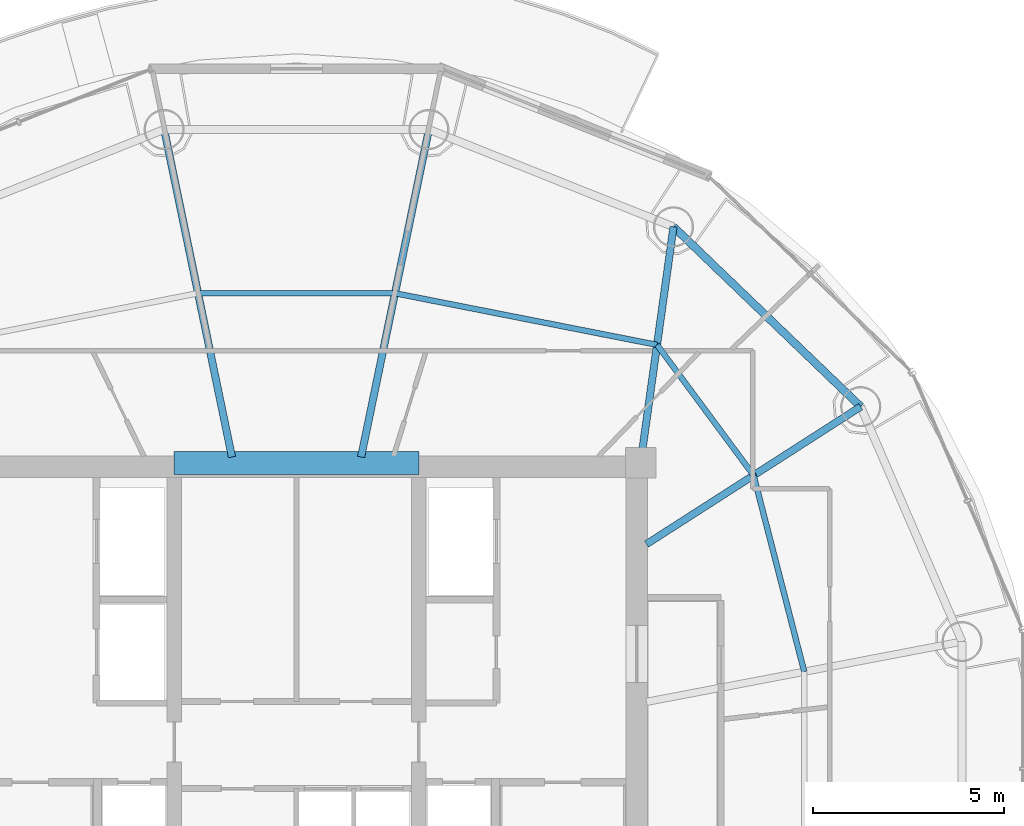
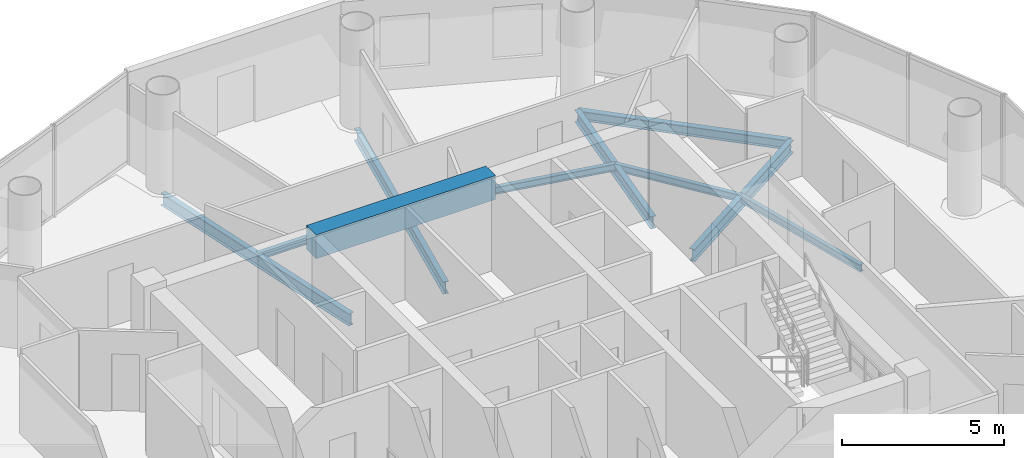
# One storey, part 10 of 24: 10 beams.
"""IFC4 building model written with IfcOpenShell, lengths in metres."""

from ifc_helpers import new_model, si_unit, direction, frame, origin, origin_2d, place, context, subcontext, project, spatial, rectangle, i_section, extrude, material, material_profile, profile_set, type_object, element, save


model = new_model("IFC4")

# Units and contexts
model_context = context("Model", 3, precision=1e-05, world=origin(), true_north=direction((-0.2419218956, 0.970295726276)))
body_context = subcontext(model_context, "Body", "Model", "MODEL_VIEW")
ifc_project = project(units=[si_unit("LENGTHUNIT", "METRE"), si_unit("AREAUNIT", "SQUARE_METRE"), si_unit("VOLUMEUNIT", "CUBIC_METRE"), si_unit("PLANEANGLEUNIT", "RADIAN"), si_unit("MASSUNIT", "GRAM", prefix="KILO")], contexts=[model_context])

# Site, building, storey
site_placement = place(None, origin())
site = spatial("IfcSite", under=ifc_project, at=site_placement, CompositionType="ELEMENT")
building_placement = place(site_placement, origin())
building = spatial("IfcBuilding", under=site, at=building_placement, Name="Cobrevalo Terracotta Tower", CompositionType="ELEMENT")
storey_placement = place(building_placement, frame((0.0, 0.0, 270.699951171875)))
storey = spatial("IfcBuildingStorey", under=building, at=storey_placement, Name="L71", CompositionType="ELEMENT", Elevation=270.699951171875)

# Beams
ifc_material_1 = material(Name="Concrete C60", Category="concrete")
ifc_material_profile_1 = material_profile(ifc_material_1, rectangle(XDim=0.60009765625, YDim=0.89990234375, at=origin_2d()), Name="RC CB 600x900")
ifc_profile_set_1 = profile_set([ifc_material_profile_1], Name="Concrete C60")
beam_type_1 = type_object("IfcBeamType", Name="Structural Beam RC CB 600x900 (Concrete C60)", PredefinedType="BEAM", material=ifc_profile_set_1)
beam_1_placement = place(storey_placement, frame((34.800048828125, 34.800048828125, 3.0400390625), z_axis=(1.0, 0.0, 0.0), x_axis=(0.0, 1.0, 0.0)))
element("IfcBeam", 1, at=beam_1_placement, inside=storey, type_object=beam_type_1, Name="L71 core coupling beam 2", PredefinedType="BEAM", context=body_context, shape_type="SweptSolid", body=[
    extrude(rectangle(XDim=0.60009765625, YDim=0.89990234375, at=origin_2d()), origin(), (0.0, 0.0, 1.0), 6.39990234375),
])
ifc_material_2 = material(Name="Steel S355", Category="steel")
ifc_material_profile_2 = material_profile(ifc_material_2, i_section(OverallWidth=0.19091796875, OverallDepth=0.4599609375, WebThickness=0.010009765625, FlangeThickness=0.01611328125, at=origin_2d()), Name="W 460x82")
ifc_profile_set_2 = profile_set([ifc_material_profile_2], Name="Steel S355")
beam_type_2 = type_object("IfcBeamType", Name="Structural Beam W 460x82 (Steel S355)", PredefinedType="BEAM", material=ifc_profile_set_2)
beam_2_placement = place(storey_placement, frame((52.758544921875, 36.2724609375, -0.489990234375), z_axis=(-0.84157615512, -0.540138477739, 0.0), x_axis=(0.540138477739, -0.84157615512, 0.0)))
element("IfcBeam", 2, at=beam_2_placement, inside=storey, type_object=beam_type_2, Name="L71 radial floor girder 02", PredefinedType="BEAM", context=body_context, shape_type="SweptSolid", body=[
    extrude(i_section(OverallWidth=0.19091796875, OverallDepth=0.4599609375, WebThickness=0.010009765625, FlangeThickness=0.01611328125, at=origin_2d()), origin(), (0.0, 0.0, 1.0), 6.658447265625),
])
beam_3_placement = place(storey_placement, frame((47.861328125, 40.9765625, -0.489990234375), z_axis=(-0.138115657759, -0.990416107039, 0.0), x_axis=(0.990416107039, -0.138115657759, 0.0)))
element("IfcBeam", 3, at=beam_3_placement, inside=storey, type_object=beam_type_2, Name="L71 radial floor girder 03", PredefinedType="BEAM", context=body_context, shape_type="SweptSolid", body=[
    extrude(i_section(OverallWidth=0.19091796875, OverallDepth=0.4599609375, WebThickness=0.010009765625, FlangeThickness=0.01611328125, at=origin_2d()), origin(), (0.0, 0.0, 1.0), 6.236328125),
])
for number, where, z_axis, x_axis, name in (
    (4, (41.462890625, 43.5224609375, -0.489990234375), (-0.202781841237, -0.9792239401, 0.0), (0.9792239401, -0.202781841237, 0.0), "L71 radial floor girder 04"),
    (5, (34.537109375, 43.5224609375, -0.489990234375), (0.202781841237, -0.9792239401, 0.0), (0.9792239401, 0.202781841237, 0.0), "L71 radial floor girder 05"),
):
    element("IfcBeam", number, at=place(storey_placement, frame(where, z_axis=z_axis, x_axis=x_axis)), inside=storey, type_object=beam_type_2, Name=name, PredefinedType="BEAM", context=body_context, shape_type="SweptSolid", body=[
        extrude(i_section(OverallWidth=0.19091796875, OverallDepth=0.4599609375, WebThickness=0.010009765625, FlangeThickness=0.01611328125, at=origin_2d()), origin(), (0.0, 0.0, 1.0), 8.749267578125),
    ])
ifc_material_profile_3 = material_profile(ifc_material_2, i_section(OverallWidth=0.14794921875, OverallDepth=0.26611328125, WebThickness=0.007568359375, FlangeThickness=0.012939453125, at=origin_2d()), Name="W 250x44.8")
ifc_profile_set_3 = profile_set([ifc_material_profile_3], Name="Steel S355")
beam_type_3 = type_object("IfcBeamType", Name="Structural Joist W 250x44.8 (Steel S355)", PredefinedType="JOIST", material=ifc_profile_set_3)
beam_4_placement = place(storey_placement, frame((51.281982421875, 29.337646484375, -0.39306640625), z_axis=(-0.249816773293, 0.968293126993, 0.0), x_axis=(-0.968293126993, -0.249816773293, 0.0)))
element("IfcBeam", 6, at=beam_4_placement, inside=storey, type_object=beam_type_3, Name="L71 circumferential secondary floor joist 01", PredefinedType="JOIST", context=body_context, shape_type="SweptSolid", body=[
    extrude(i_section(OverallWidth=0.14794921875, OverallDepth=0.26611328125, WebThickness=0.007568359375, FlangeThickness=0.012939453125, at=origin_2d()), origin(), (0.0, 0.0, 1.0), 5.3046875),
])
beam_5_placement = place(storey_placement, frame((49.956787109375, 34.47412109375, -0.39306640625), z_axis=(-0.594799916617, 0.803873783123, 0.0), x_axis=(-0.803873783123, -0.594799916617, 0.0)))
element("IfcBeam", 7, at=beam_5_placement, inside=storey, type_object=beam_type_3, Name="L71 circumferential secondary floor joist 02", PredefinedType="JOIST", context=body_context, shape_type="SweptSolid", body=[
    extrude(i_section(OverallWidth=0.14794921875, OverallDepth=0.26611328125, WebThickness=0.007568359375, FlangeThickness=0.012939453125, at=origin_2d()), origin(), (0.0, 0.0, 1.0), 4.2470703125),
])
beam_6_placement = place(storey_placement, frame((47.4306640625, 37.88818359375, -0.39306640625), z_axis=(-0.98113843359, 0.19330642548, 0.0), x_axis=(-0.19330642548, -0.98113843359, 0.0)))
element("IfcBeam", 8, at=beam_6_placement, inside=storey, type_object=beam_type_3, Name="L71 circumferential secondary floor joist 03", PredefinedType="JOIST", context=body_context, shape_type="SweptSolid", body=[
    extrude(i_section(OverallWidth=0.14794921875, OverallDepth=0.26611328125, WebThickness=0.007568359375, FlangeThickness=0.012939453125, at=origin_2d()), origin(), (0.0, 0.0, 1.0), 6.98681640625),
])
beam_7_placement = place(storey_placement, frame((40.57568359375, 39.23876953125, -0.39306640625), z_axis=(-1.0, 0.0, 0.0), x_axis=(0.0, -1.0, 0.0)))
element("IfcBeam", 9, at=beam_7_placement, inside=storey, type_object=beam_type_3, Name="L71 circumferential secondary floor joist 04", PredefinedType="JOIST", context=body_context, shape_type="SweptSolid", body=[
    extrude(i_section(OverallWidth=0.14794921875, OverallDepth=0.26611328125, WebThickness=0.007568359375, FlangeThickness=0.012939453125, at=origin_2d()), origin(), (0.0, 0.0, 1.0), 5.1513671875),
])
ifc_material_profile_4 = material_profile(ifc_material_2, i_section(OverallWidth=0.205078125, OverallDepth=0.35400390625, WebThickness=0.009521484375, FlangeThickness=0.016845703125, at=origin_2d()), Name="W 360x79")
ifc_profile_set_4 = profile_set([ifc_material_profile_4], Name="Steel S355")
beam_type_4 = type_object("IfcBeamType", Name="Structural Spandrel W 360x79 (Steel S355)", PredefinedType="SPANDREL", material=ifc_profile_set_4)
beam_8_placement = place(storey_placement, frame((52.758544921875, 36.2724609375, -0.43701171875), z_axis=(-0.721183246144, 0.692744343522, 0.0), x_axis=(-0.692744343522, -0.721183246144, 0.0)))
element("IfcBeam", 10, at=beam_8_placement, inside=storey, type_object=beam_type_4, Name="L71 perimeter ring spandrel 02", PredefinedType="SPANDREL", context=body_context, shape_type="SweptSolid", body=[
    extrude(i_section(OverallWidth=0.205078125, OverallDepth=0.35400390625, WebThickness=0.009521484375, FlangeThickness=0.016845703125, at=origin_2d()), origin(), (0.0, 0.0, 1.0), 6.79052734375),
])

save(model, "model.ifc")
